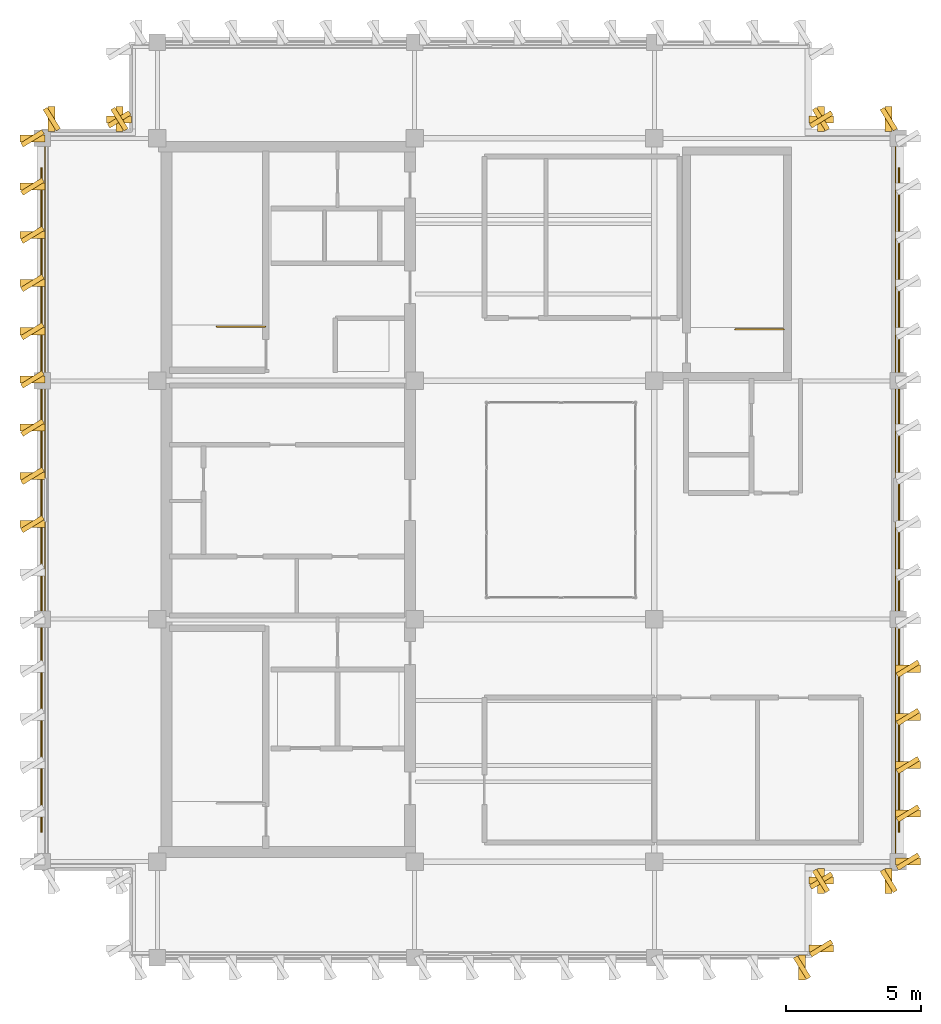
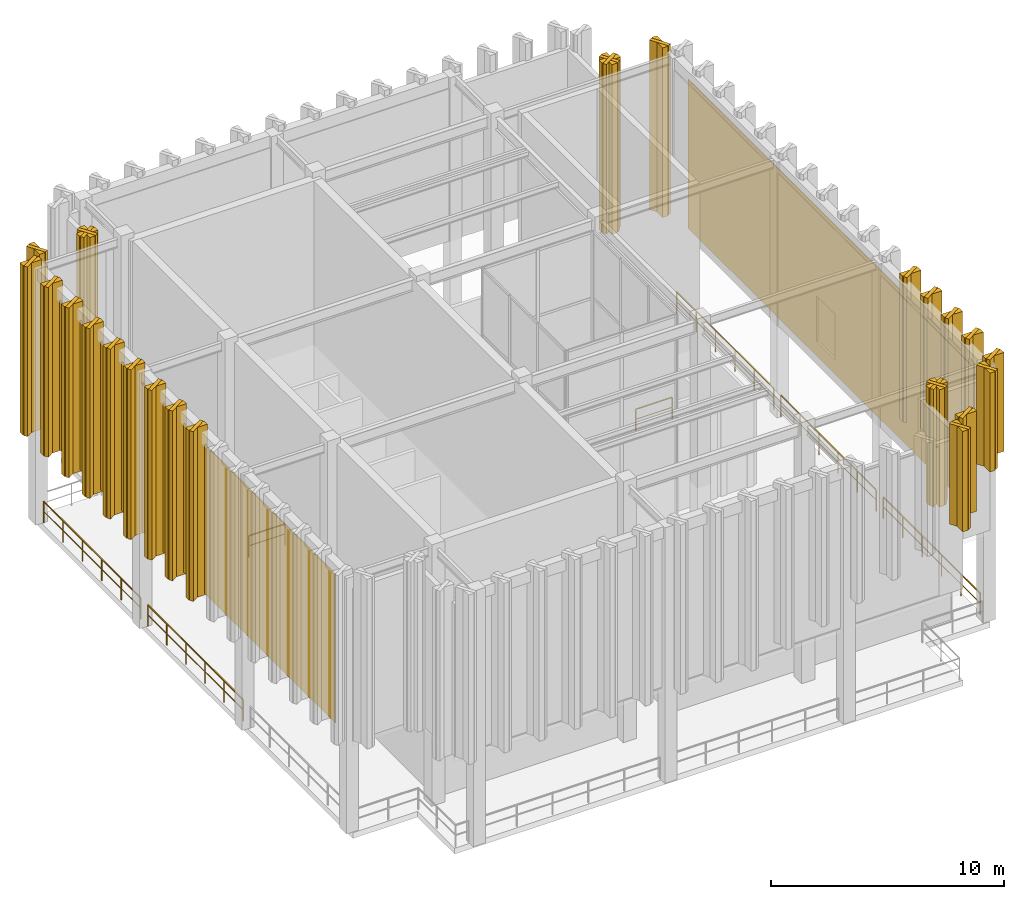
# One storey, part 14 of 15: 27 coverings, 25 shading devices, 7 railings.
"""IFC4 building model written with IfcOpenShell, lengths in metres."""

from ifc_helpers import new_model, si_unit, direction, frame, origin, origin_2d, place, context, subcontext, project, spatial, polyline, rectangle, outline, extrude, material, layer, layer_set, type_object, element, save


model = new_model("IFC4")

# Units and contexts
model_context = context("Model", 3, precision=1e-05, world=origin(), true_north=direction((0.0, 1.0)))
body_context = subcontext(model_context, "Body", "Model", "MODEL_VIEW")
ifc_project = project(units=[si_unit("LENGTHUNIT", "METRE"), si_unit("AREAUNIT", "SQUARE_METRE"), si_unit("VOLUMEUNIT", "CUBIC_METRE"), si_unit("PLANEANGLEUNIT", "RADIAN"), si_unit("MASSUNIT", "GRAM", prefix="KILO")], contexts=[model_context])

# Site, building, storey
site_placement = place(None, origin())
site = spatial("IfcSite", under=ifc_project, at=site_placement, CompositionType="ELEMENT")
building_placement = place(site_placement, origin())
building = spatial("IfcBuilding", under=site, at=building_placement, Name="Kundavana Baori Tower", CompositionType="ELEMENT")
storey_placement = place(building_placement, frame((0.0, 0.0, 354.699951171875)))
storey = spatial("IfcBuildingStorey", under=building, at=storey_placement, Name="L88", CompositionType="ELEMENT", Elevation=354.699951171875)

# Coverings
ifc_material_1 = material(Name="Red-Buff Dholpur Sandstone Cladding on Concrete C40/50", Category="masonry")
ifc_layer_1 = layer(ifc_material_1, 0.050048828125, Name="COV-EXT-CLAD")
ifc_layer_set_1 = layer_set([ifc_layer_1], Name="Red-Buff Dholpur Sandstone Cladding on Concrete C40/50")
covering_type_1 = type_object("IfcCoveringType", Name="COV-EXT-CLAD", PredefinedType="CLADDING", material=ifc_layer_set_1)
covering_1_placement = place(storey_placement, frame((0.0, 0.0, 4.900146484375)))
element("IfcCovering", 1, at=covering_1_placement, inside=storey, type_object=covering_type_1, Name="L88 Crown Carved Dholpur Stone Cladding 04", PredefinedType="CLADDING", context=body_context, shape_type="SweptSolid", body=[
    extrude(outline(polyline([(42.800048828125, 16.340087890625), (42.85009765625, 16.340087890625), (42.85009765625, 40.860107421875), (42.800048828125, 40.860107421875), (42.800048828125, 16.340087890625)])), origin(), (0.0, 0.0, 1.0), 7.7998046875),
])
covering_2_placement = place(storey_placement, frame((0.0, 0.0, 4.900146484375)))
element("IfcCovering", 2, at=covering_2_placement, inside=storey, type_object=covering_type_1, Name="L88 Crown Carved Dholpur Stone Cladding 10", PredefinedType="CLADDING", context=body_context, shape_type="SweptSolid", body=[
    extrude(outline(polyline([(11.14990234375, 16.340087890625), (11.199951171875, 16.340087890625), (11.199951171875, 40.860107421875), (11.14990234375, 40.860107421875), (11.14990234375, 16.340087890625)])), origin(), (0.0, 0.0, 1.0), 7.7998046875),
])
ifc_material_2 = material(Name="Cream-White Makrana Limestone on Concrete C40/50", Category="masonry")
ifc_layer_2 = layer(ifc_material_2, 0.239990234375, Name="COV-SAIL-FIN")
ifc_layer_set_2 = layer_set([ifc_layer_2], Name="Cream-White Makrana Limestone on Concrete C40/50")
covering_type_2 = type_object("IfcCoveringType", Name="COV-SAIL-FIN", PredefinedType="CLADDING", material=ifc_layer_set_2)
covering_3_placement = place(storey_placement, frame((0.0, 0.0, 8.430419921875)))
element("IfcCovering", 3, at=covering_3_placement, inside=storey, type_object=covering_type_2, Name="L88 Climbing Makrana White Limestone Sail Fin 015", PredefinedType="CLADDING", context=body_context, shape_type="SweptSolid", body=[
    extrude(outline(polyline([(39.1201171875, 10.8798828125), (39.3798828125, 10.8798828125), (39.3798828125, 11.800048828125), (39.1201171875, 11.800048828125), (39.1201171875, 10.8798828125)])), origin(), (0.0, 0.0, 1.0), 5.26953125),
])
covering_4_placement = place(storey_placement, frame((0.0, 0.0, 8.439453125)))
element("IfcCovering", 4, at=covering_4_placement, inside=storey, type_object=covering_type_2, Name="L88 Climbing Makrana White Limestone Sail Fin 016", PredefinedType="CLADDING", context=body_context, shape_type="SweptSolid", body=[
    extrude(outline(polyline([(39.5, 11.919921875), (40.419921875, 11.919921875), (40.419921875, 12.179931640625), (39.5, 12.179931640625), (39.5, 11.919921875)])), origin(), (0.0, 0.0, 1.0), 5.260498046875),
])
covering_5_placement = place(storey_placement, frame((0.0, 0.0, 7.541748046875)))
element("IfcCovering", 5, at=covering_5_placement, inside=storey, type_object=covering_type_2, Name="L88 Climbing Makrana White Limestone Sail Fin 017", PredefinedType="CLADDING", context=body_context, shape_type="SweptSolid", body=[
    extrude(outline(polyline([(39.5, 14.419921875), (40.419921875, 14.419921875), (40.419921875, 14.679931640625), (39.5, 14.679931640625), (39.5, 14.419921875)])), origin(), (0.0, 0.0, 1.0), 6.158203125),
])
covering_6_placement = place(storey_placement, frame((0.0, 0.0, 7.55029296875)))
element("IfcCovering", 6, at=covering_6_placement, inside=storey, type_object=covering_type_2, Name="L88 Climbing Makrana White Limestone Sail Fin 018", PredefinedType="CLADDING", context=body_context, shape_type="SweptSolid", body=[
    extrude(outline(polyline([(39.820068359375, 14.080078125), (40.080078125, 14.080078125), (40.080078125, 15.0), (39.820068359375, 15.0), (39.820068359375, 14.080078125)])), origin(), (0.0, 0.0, 1.0), 6.149658203125),
])
covering_7_placement = place(storey_placement, frame((0.0, 0.0, 8.513916015625)))
element("IfcCovering", 7, at=covering_7_placement, inside=storey, type_object=covering_type_2, Name="L88 Climbing Makrana White Limestone Sail Fin 019", PredefinedType="CLADDING", context=body_context, shape_type="SweptSolid", body=[
    extrude(outline(polyline([(42.320068359375, 14.080078125), (42.580078125, 14.080078125), (42.580078125, 15.0), (42.320068359375, 15.0), (42.320068359375, 14.080078125)])), origin(), (0.0, 0.0, 1.0), 5.18603515625),
])
covering_8_placement = place(storey_placement, frame((0.0, 0.0, 8.523193359375)))
element("IfcCovering", 8, at=covering_8_placement, inside=storey, type_object=covering_type_2, Name="L88 Climbing Makrana White Limestone Sail Fin 020", PredefinedType="CLADDING", context=body_context, shape_type="SweptSolid", body=[
    extrude(outline(polyline([(42.699951171875, 15.1201171875), (43.6201171875, 15.1201171875), (43.6201171875, 15.3798828125), (42.699951171875, 15.3798828125), (42.699951171875, 15.1201171875)])), origin(), (0.0, 0.0, 1.0), 5.1767578125),
])
covering_9_placement = place(storey_placement, frame((0.0, 0.0, 7.87255859375)))
element("IfcCovering", 9, at=covering_9_placement, inside=storey, type_object=covering_type_2, Name="L88 Climbing Makrana White Limestone Sail Fin 021", PredefinedType="CLADDING", context=body_context, shape_type="SweptSolid", body=[
    extrude(outline(polyline([(42.699951171875, 16.89990234375), (43.6201171875, 16.89990234375), (43.6201171875, 17.159912109375), (42.699951171875, 17.159912109375), (42.699951171875, 16.89990234375)])), origin(), (0.0, 0.0, 1.0), 5.827392578125),
])
covering_10_placement = place(storey_placement, frame((0.0, 0.0, 7.25439453125)))
element("IfcCovering", 10, at=covering_10_placement, inside=storey, type_object=covering_type_2, Name="L88 Climbing Makrana White Limestone Sail Fin 022", PredefinedType="CLADDING", context=body_context, shape_type="SweptSolid", body=[
    extrude(outline(polyline([(42.699951171875, 18.679931640625), (43.6201171875, 18.679931640625), (43.6201171875, 18.93994140625), (42.699951171875, 18.93994140625), (42.699951171875, 18.679931640625)])), origin(), (0.0, 0.0, 1.0), 6.445556640625),
])
covering_11_placement = place(storey_placement, frame((0.0, 0.0, 6.6591796875)))
element("IfcCovering", 11, at=covering_11_placement, inside=storey, type_object=covering_type_2, Name="L88 Climbing Makrana White Limestone Sail Fin 023", PredefinedType="CLADDING", context=body_context, shape_type="SweptSolid", body=[
    extrude(outline(polyline([(42.699951171875, 20.4599609375), (43.6201171875, 20.4599609375), (43.6201171875, 20.719970703125), (42.699951171875, 20.719970703125), (42.699951171875, 20.4599609375)])), origin(), (0.0, 0.0, 1.0), 7.040771484375),
])
covering_12_placement = place(storey_placement, frame((0.0, 0.0, 6.081787109375)))
element("IfcCovering", 12, at=covering_12_placement, inside=storey, type_object=covering_type_2, Name="L88 Climbing Makrana White Limestone Sail Fin 024", PredefinedType="CLADDING", context=body_context, shape_type="SweptSolid", body=[
    extrude(outline(polyline([(42.699951171875, 22.239990234375), (43.6201171875, 22.239990234375), (43.6201171875, 22.5), (42.699951171875, 22.5), (42.699951171875, 22.239990234375)])), origin(), (0.0, 0.0, 1.0), 7.6181640625),
])
covering_13_placement = place(storey_placement, frame((0.0, 0.0, 4.800048828125)))
element("IfcCovering", 13, at=covering_13_placement, inside=storey, type_object=covering_type_2, Name="L88 Climbing Makrana White Limestone Sail Fin 036", PredefinedType="CLADDING", context=body_context, shape_type="SweptSolid", body=[
    extrude(outline(polyline([(42.320068359375, 42.199951171875), (42.580078125, 42.199951171875), (42.580078125, 43.1201171875), (42.320068359375, 43.1201171875), (42.320068359375, 42.199951171875)])), origin(), (0.0, 0.0, 1.0), 8.89990234375),
])
covering_14_placement = place(storey_placement, frame((0.0, 0.0, 4.800048828125)))
element("IfcCovering", 14, at=covering_14_placement, inside=storey, type_object=covering_type_2, Name="L88 Climbing Makrana White Limestone Sail Fin 037", PredefinedType="CLADDING", context=body_context, shape_type="SweptSolid", body=[
    extrude(outline(polyline([(39.820068359375, 42.199951171875), (40.080078125, 42.199951171875), (40.080078125, 43.1201171875), (39.820068359375, 43.1201171875), (39.820068359375, 42.199951171875)])), origin(), (0.0, 0.0, 1.0), 8.89990234375),
])
covering_15_placement = place(storey_placement, frame((0.0, 0.0, 4.800048828125)))
element("IfcCovering", 15, at=covering_15_placement, inside=storey, type_object=covering_type_2, Name="L88 Climbing Makrana White Limestone Sail Fin 038", PredefinedType="CLADDING", context=body_context, shape_type="SweptSolid", body=[
    extrude(outline(polyline([(39.5, 42.52001953125), (40.419921875, 42.52001953125), (40.419921875, 42.780029296875), (39.5, 42.780029296875), (39.5, 42.52001953125)])), origin(), (0.0, 0.0, 1.0), 8.89990234375),
])
covering_16_placement = place(storey_placement, frame((0.0, 0.0, 4.800048828125)))
element("IfcCovering", 16, at=covering_16_placement, inside=storey, type_object=covering_type_2, Name="L88 Climbing Makrana White Limestone Sail Fin 056", PredefinedType="CLADDING", context=body_context, shape_type="SweptSolid", body=[
    extrude(outline(polyline([(13.580078125, 42.52001953125), (14.5, 42.52001953125), (14.5, 42.780029296875), (13.580078125, 42.780029296875), (13.580078125, 42.52001953125)])), origin(), (0.0, 0.0, 1.0), 8.89990234375),
])
covering_17_placement = place(storey_placement, frame((0.0, 0.0, 4.800048828125)))
element("IfcCovering", 17, at=covering_17_placement, inside=storey, type_object=covering_type_2, Name="L88 Climbing Makrana White Limestone Sail Fin 057", PredefinedType="CLADDING", context=body_context, shape_type="SweptSolid", body=[
    extrude(outline(polyline([(13.919921875, 42.199951171875), (14.179931640625, 42.199951171875), (14.179931640625, 43.1201171875), (13.919921875, 43.1201171875), (13.919921875, 42.199951171875)])), origin(), (0.0, 0.0, 1.0), 8.89990234375),
])
covering_18_placement = place(storey_placement, frame((0.0, 0.0, 4.800048828125)))
element("IfcCovering", 18, at=covering_18_placement, inside=storey, type_object=covering_type_2, Name="L88 Climbing Makrana White Limestone Sail Fin 058", PredefinedType="CLADDING", context=body_context, shape_type="SweptSolid", body=[
    extrude(outline(polyline([(11.419921875, 42.199951171875), (11.679931640625, 42.199951171875), (11.679931640625, 43.1201171875), (11.419921875, 43.1201171875), (11.419921875, 42.199951171875)])), origin(), (0.0, 0.0, 1.0), 8.89990234375),
])
covering_19_placement = place(storey_placement, frame((0.0, 0.0, 4.800048828125)))
element("IfcCovering", 19, at=covering_19_placement, inside=storey, type_object=covering_type_2, Name="L88 Climbing Makrana White Limestone Sail Fin 059", PredefinedType="CLADDING", context=body_context, shape_type="SweptSolid", body=[
    extrude(outline(polyline([(10.3798828125, 41.820068359375), (11.300048828125, 41.820068359375), (11.300048828125, 42.080078125), (10.3798828125, 42.080078125), (10.3798828125, 41.820068359375)])), origin(), (0.0, 0.0, 1.0), 8.89990234375),
])
covering_20_placement = place(storey_placement, frame((0.0, 0.0, 4.800048828125)))
element("IfcCovering", 20, at=covering_20_placement, inside=storey, type_object=covering_type_2, Name="L88 Climbing Makrana White Limestone Sail Fin 060", PredefinedType="CLADDING", context=body_context, shape_type="SweptSolid", body=[
    extrude(outline(polyline([(10.3798828125, 40.0400390625), (11.300048828125, 40.0400390625), (11.300048828125, 40.300048828125), (10.3798828125, 40.300048828125), (10.3798828125, 40.0400390625)])), origin(), (0.0, 0.0, 1.0), 8.89990234375),
])
covering_21_placement = place(storey_placement, frame((0.0, 0.0, 4.800048828125)))
element("IfcCovering", 21, at=covering_21_placement, inside=storey, type_object=covering_type_2, Name="L88 Climbing Makrana White Limestone Sail Fin 061", PredefinedType="CLADDING", context=body_context, shape_type="SweptSolid", body=[
    extrude(outline(polyline([(10.3798828125, 38.260009765625), (11.300048828125, 38.260009765625), (11.300048828125, 38.52001953125), (10.3798828125, 38.52001953125), (10.3798828125, 38.260009765625)])), origin(), (0.0, 0.0, 1.0), 8.89990234375),
])
covering_22_placement = place(storey_placement, frame((0.0, 0.0, 4.800048828125)))
element("IfcCovering", 22, at=covering_22_placement, inside=storey, type_object=covering_type_2, Name="L88 Climbing Makrana White Limestone Sail Fin 062", PredefinedType="CLADDING", context=body_context, shape_type="SweptSolid", body=[
    extrude(outline(polyline([(10.3798828125, 36.47998046875), (11.300048828125, 36.47998046875), (11.300048828125, 36.739990234375), (10.3798828125, 36.739990234375), (10.3798828125, 36.47998046875)])), origin(), (0.0, 0.0, 1.0), 8.89990234375),
])
covering_23_placement = place(storey_placement, frame((0.0, 0.0, 4.800048828125)))
element("IfcCovering", 23, at=covering_23_placement, inside=storey, type_object=covering_type_2, Name="L88 Climbing Makrana White Limestone Sail Fin 063", PredefinedType="CLADDING", context=body_context, shape_type="SweptSolid", body=[
    extrude(outline(polyline([(10.3798828125, 34.699951171875), (11.300048828125, 34.699951171875), (11.300048828125, 34.9599609375), (10.3798828125, 34.9599609375), (10.3798828125, 34.699951171875)])), origin(), (0.0, 0.0, 1.0), 8.89990234375),
])
covering_24_placement = place(storey_placement, frame((0.0, 0.0, 4.800048828125)))
element("IfcCovering", 24, at=covering_24_placement, inside=storey, type_object=covering_type_2, Name="L88 Climbing Makrana White Limestone Sail Fin 064", PredefinedType="CLADDING", context=body_context, shape_type="SweptSolid", body=[
    extrude(outline(polyline([(10.3798828125, 32.919921875), (11.300048828125, 32.919921875), (11.300048828125, 33.179931640625), (10.3798828125, 33.179931640625), (10.3798828125, 32.919921875)])), origin(), (0.0, 0.0, 1.0), 8.89990234375),
])
covering_25_placement = place(storey_placement, frame((0.0, 0.0, 4.800048828125)))
element("IfcCovering", 25, at=covering_25_placement, inside=storey, type_object=covering_type_2, Name="L88 Climbing Makrana White Limestone Sail Fin 065", PredefinedType="CLADDING", context=body_context, shape_type="SweptSolid", body=[
    extrude(outline(polyline([(10.3798828125, 31.139892578125), (11.300048828125, 31.139892578125), (11.300048828125, 31.39990234375), (10.3798828125, 31.39990234375), (10.3798828125, 31.139892578125)])), origin(), (0.0, 0.0, 1.0), 8.89990234375),
])
covering_26_placement = place(storey_placement, frame((0.0, 0.0, 4.800048828125)))
element("IfcCovering", 26, at=covering_26_placement, inside=storey, type_object=covering_type_2, Name="L88 Climbing Makrana White Limestone Sail Fin 066", PredefinedType="CLADDING", context=body_context, shape_type="SweptSolid", body=[
    extrude(outline(polyline([(10.3798828125, 29.360107421875), (11.300048828125, 29.360107421875), (11.300048828125, 29.6201171875), (10.3798828125, 29.6201171875), (10.3798828125, 29.360107421875)])), origin(), (0.0, 0.0, 1.0), 8.89990234375),
])
covering_27_placement = place(storey_placement, frame((0.0, 0.0, 4.800048828125)))
element("IfcCovering", 27, at=covering_27_placement, inside=storey, type_object=covering_type_2, Name="L88 Climbing Makrana White Limestone Sail Fin 067", PredefinedType="CLADDING", context=body_context, shape_type="SweptSolid", body=[
    extrude(outline(polyline([(10.3798828125, 27.580078125), (11.300048828125, 27.580078125), (11.300048828125, 27.840087890625), (10.3798828125, 27.840087890625), (10.3798828125, 27.580078125)])), origin(), (0.0, 0.0, 1.0), 8.89990234375),
])

# Railings
ifc_material_3 = material(Name="Architectural Patinated Bronze Metalwork")
railing_type_1 = type_object("IfcRailingType", Name="RL-BAL-1150", PredefinedType="BALUSTRADE", material=ifc_material_3)
railing_1_placement = place(storey_placement, frame((11.300048828125, 24.5048828125, 0.0)))
element("IfcRailing", 28, at=railing_1_placement, inside=storey, type_object=railing_type_1, Name="L88 Mechanical Floor Perimeter Guard Rail 03", PredefinedType="BALUSTRADE", context=body_context, shape_type="SweptSolid", body=[
    extrude(rectangle(XDim=0.048095703125, YDim=0.048095703125, at=origin_2d()), frame((0.0, 0.0, 1.1259765625), z_axis=(0.0, 1.0, 0.0), x_axis=(-1.0, 0.0, 0.0)), (0.0, 0.0, 1.0), 8.190185546875),
    extrude(rectangle(XDim=0.03125, YDim=0.03125, at=origin_2d()), frame((0.0, 0.0, 0.597900390625), z_axis=(0.0, 1.0, 0.0), x_axis=(-1.0, 0.0, 0.0)), (0.0, 0.0, 1.0), 8.190185546875),
    extrude(rectangle(XDim=0.0419921875, YDim=0.0419921875, at=origin_2d()), origin(), (0.0, 0.0, 1.0), 1.101806640625),
    extrude(rectangle(XDim=0.0419921875, YDim=0.0419921875, at=origin_2d()), frame((0.0, 1.637939453125, 0.0)), (0.0, 0.0, 1.0), 1.101806640625),
    extrude(rectangle(XDim=0.0419921875, YDim=0.0419921875, at=origin_2d()), frame((0.0, 3.276123046875, 0.0)), (0.0, 0.0, 1.0), 1.101806640625),
    extrude(rectangle(XDim=0.0419921875, YDim=0.0419921875, at=origin_2d()), frame((0.0, 4.9140625, 0.0)), (0.0, 0.0, 1.0), 1.101806640625),
    extrude(rectangle(XDim=0.0419921875, YDim=0.0419921875, at=origin_2d()), frame((0.0, 6.55224609375, 0.0)), (0.0, 0.0, 1.0), 1.101806640625),
    extrude(rectangle(XDim=0.0419921875, YDim=0.0419921875, at=origin_2d()), frame((0.0, 8.190185546875, 0.0)), (0.0, 0.0, 1.0), 1.101806640625),
])
railing_2_placement = place(storey_placement, frame((11.300048828125, 33.304931640625, 0.0)))
element("IfcRailing", 29, at=railing_2_placement, inside=storey, type_object=railing_type_1, Name="L88 Mechanical Floor Perimeter Guard Rail 04", PredefinedType="BALUSTRADE", context=body_context, shape_type="SweptSolid", body=[
    extrude(rectangle(XDim=0.048095703125, YDim=0.048095703125, at=origin_2d()), frame((0.0, 0.0, 1.1259765625), z_axis=(0.0, 1.0, 0.0), x_axis=(-1.0, 0.0, 0.0)), (0.0, 0.0, 1.0), 8.340087890625),
    extrude(rectangle(XDim=0.03125, YDim=0.03125, at=origin_2d()), frame((0.0, 0.0, 0.597900390625), z_axis=(0.0, 1.0, 0.0), x_axis=(-1.0, 0.0, 0.0)), (0.0, 0.0, 1.0), 8.340087890625),
    extrude(rectangle(XDim=0.0419921875, YDim=0.0419921875, at=origin_2d()), origin(), (0.0, 0.0, 1.0), 1.101806640625),
    extrude(rectangle(XDim=0.0419921875, YDim=0.0419921875, at=origin_2d()), frame((0.0, 1.66796875, 0.0)), (0.0, 0.0, 1.0), 1.101806640625),
    extrude(rectangle(XDim=0.0419921875, YDim=0.0419921875, at=origin_2d()), frame((0.0, 3.3359375, 0.0)), (0.0, 0.0, 1.0), 1.101806640625),
    extrude(rectangle(XDim=0.0419921875, YDim=0.0419921875, at=origin_2d()), frame((0.0, 5.004150390625, 0.0)), (0.0, 0.0, 1.0), 1.101806640625),
    extrude(rectangle(XDim=0.0419921875, YDim=0.0419921875, at=origin_2d()), frame((0.0, 6.672119140625, 0.0)), (0.0, 0.0, 1.0), 1.101806640625),
    extrude(rectangle(XDim=0.0419921875, YDim=0.0419921875, at=origin_2d()), frame((0.0, 8.340087890625, 0.0)), (0.0, 0.0, 1.0), 1.101806640625),
])
railing_3_placement = place(storey_placement, frame((42.699951171875, 41.64501953125, 0.0)))
element("IfcRailing", 30, at=railing_3_placement, inside=storey, type_object=railing_type_1, Name="L88 Mechanical Floor Perimeter Guard Rail 09", PredefinedType="BALUSTRADE", context=body_context, shape_type="SweptSolid", body=[
    extrude(rectangle(XDim=0.048095703125, YDim=0.048095703125, at=origin_2d()), frame((0.0, 0.0, 1.1259765625), z_axis=(0.0, -1.0, 0.0), x_axis=(1.0, 0.0, 0.0)), (0.0, 0.0, 1.0), 8.340087890625),
    extrude(rectangle(XDim=0.03125, YDim=0.03125, at=origin_2d()), frame((0.0, 0.0, 0.597900390625), z_axis=(0.0, -1.0, 0.0), x_axis=(1.0, 0.0, 0.0)), (0.0, 0.0, 1.0), 8.340087890625),
    extrude(rectangle(XDim=0.0419921875, YDim=0.0419921875, at=origin_2d()), origin(), (0.0, 0.0, 1.0), 1.101806640625),
    extrude(rectangle(XDim=0.0419921875, YDim=0.0419921875, at=origin_2d()), frame((0.0, -1.66796875, 0.0)), (0.0, 0.0, 1.0), 1.101806640625),
    extrude(rectangle(XDim=0.0419921875, YDim=0.0419921875, at=origin_2d()), frame((0.0, -3.3359375, 0.0)), (0.0, 0.0, 1.0), 1.101806640625),
    extrude(rectangle(XDim=0.0419921875, YDim=0.0419921875, at=origin_2d()), frame((0.0, -5.004150390625, 0.0)), (0.0, 0.0, 1.0), 1.101806640625),
    extrude(rectangle(XDim=0.0419921875, YDim=0.0419921875, at=origin_2d()), frame((0.0, -6.672119140625, 0.0)), (0.0, 0.0, 1.0), 1.101806640625),
    extrude(rectangle(XDim=0.0419921875, YDim=0.0419921875, at=origin_2d()), frame((0.0, -8.340087890625, 0.0)), (0.0, 0.0, 1.0), 1.101806640625),
])
railing_4_placement = place(storey_placement, frame((42.699951171875, 32.695068359375, 0.0)))
element("IfcRailing", 31, at=railing_4_placement, inside=storey, type_object=railing_type_1, Name="L88 Mechanical Floor Perimeter Guard Rail 10", PredefinedType="BALUSTRADE", context=body_context, shape_type="SweptSolid", body=[
    extrude(rectangle(XDim=0.048095703125, YDim=0.048095703125, at=origin_2d()), frame((0.0, 0.0, 1.1259765625), z_axis=(0.0, -1.0, 0.0), x_axis=(1.0, 0.0, 0.0)), (0.0, 0.0, 1.0), 8.190185546875),
    extrude(rectangle(XDim=0.03125, YDim=0.03125, at=origin_2d()), frame((0.0, 0.0, 0.597900390625), z_axis=(0.0, -1.0, 0.0), x_axis=(1.0, 0.0, 0.0)), (0.0, 0.0, 1.0), 8.190185546875),
    extrude(rectangle(XDim=0.0419921875, YDim=0.0419921875, at=origin_2d()), origin(), (0.0, 0.0, 1.0), 1.101806640625),
    extrude(rectangle(XDim=0.0419921875, YDim=0.0419921875, at=origin_2d()), frame((0.0, -1.637939453125, 0.0)), (0.0, 0.0, 1.0), 1.101806640625),
    extrude(rectangle(XDim=0.0419921875, YDim=0.0419921875, at=origin_2d()), frame((0.0, -3.276123046875, 0.0)), (0.0, 0.0, 1.0), 1.101806640625),
    extrude(rectangle(XDim=0.0419921875, YDim=0.0419921875, at=origin_2d()), frame((0.0, -4.9140625, 0.0)), (0.0, 0.0, 1.0), 1.101806640625),
    extrude(rectangle(XDim=0.0419921875, YDim=0.0419921875, at=origin_2d()), frame((0.0, -6.55224609375, 0.0)), (0.0, 0.0, 1.0), 1.101806640625),
    extrude(rectangle(XDim=0.0419921875, YDim=0.0419921875, at=origin_2d()), frame((0.0, -8.190185546875, 0.0)), (0.0, 0.0, 1.0), 1.101806640625),
])
railing_5_placement = place(storey_placement, frame((42.699951171875, 23.89501953125, 0.0)))
element("IfcRailing", 32, at=railing_5_placement, inside=storey, type_object=railing_type_1, Name="L88 Mechanical Floor Perimeter Guard Rail 11", PredefinedType="BALUSTRADE", context=body_context, shape_type="SweptSolid", body=[
    extrude(rectangle(XDim=0.048095703125, YDim=0.048095703125, at=origin_2d()), frame((0.0, 0.0, 1.1259765625), z_axis=(0.0, -1.0, 0.0), x_axis=(1.0, 0.0, 0.0)), (0.0, 0.0, 1.0), 8.340087890625),
    extrude(rectangle(XDim=0.03125, YDim=0.03125, at=origin_2d()), frame((0.0, 0.0, 0.597900390625), z_axis=(0.0, -1.0, 0.0), x_axis=(1.0, 0.0, 0.0)), (0.0, 0.0, 1.0), 8.340087890625),
    extrude(rectangle(XDim=0.0419921875, YDim=0.0419921875, at=origin_2d()), origin(), (0.0, 0.0, 1.0), 1.101806640625),
    extrude(rectangle(XDim=0.0419921875, YDim=0.0419921875, at=origin_2d()), frame((0.0, -1.66796875, 0.0)), (0.0, 0.0, 1.0), 1.101806640625),
    extrude(rectangle(XDim=0.0419921875, YDim=0.0419921875, at=origin_2d()), frame((0.0, -3.3359375, 0.0)), (0.0, 0.0, 1.0), 1.101806640625),
    extrude(rectangle(XDim=0.0419921875, YDim=0.0419921875, at=origin_2d()), frame((0.0, -5.004150390625, 0.0)), (0.0, 0.0, 1.0), 1.101806640625),
    extrude(rectangle(XDim=0.0419921875, YDim=0.0419921875, at=origin_2d()), frame((0.0, -6.672119140625, 0.0)), (0.0, 0.0, 1.0), 1.101806640625),
    extrude(rectangle(XDim=0.0419921875, YDim=0.0419921875, at=origin_2d()), frame((0.0, -8.340087890625, 0.0)), (0.0, 0.0, 1.0), 1.101806640625),
])
ifc_material_4 = material(Name="Architectural Patinated Bronze Metalwork")
railing_type_2 = type_object("IfcRailingType", Name="RL-GRD-1150", PredefinedType="GUARDRAIL", material=ifc_material_4)
for number, where, name in (
    (33, (19.43994140625, 35.0, 0.0), "L88 ST2 top well guard 1"),
    (34, (38.580078125, 34.89990234375, 0.0), "L88 ST3 top well guard 1"),
):
    element("IfcRailing", number, at=place(storey_placement, frame(where)), inside=storey, type_object=railing_type_2, Name=name, PredefinedType="GUARDRAIL", context=body_context, shape_type="SweptSolid", body=[
        extrude(rectangle(XDim=0.048095703125, YDim=0.048095703125, at=origin_2d()), frame((0.0, 0.0, 1.1259765625), z_axis=(-1.0, 0.0, 0.0), x_axis=(0.0, -1.0, 0.0)), (0.0, 0.0, 1.0), 1.81005859375),
        extrude(rectangle(XDim=0.03125, YDim=0.03125, at=origin_2d()), frame((0.0, 0.0, 0.597900390625), z_axis=(-1.0, 0.0, 0.0), x_axis=(0.0, -1.0, 0.0)), (0.0, 0.0, 1.0), 1.81005859375),
        extrude(rectangle(XDim=0.0419921875, YDim=0.0419921875, at=origin_2d()), origin(), (0.0, 0.0, 1.0), 1.101806640625),
        extrude(rectangle(XDim=0.0419921875, YDim=0.0419921875, at=origin_2d()), frame((-1.81005859375, 0.0, 0.0)), (0.0, 0.0, 1.0), 1.101806640625),
    ])

# Shading devices
ifc_material_5 = material(Name="Red-Buff Dholpur Sandstone Cladding on Concrete C40/50", Category="masonry")
shading_device_type = type_object("IfcShadingDeviceType", Name="SHD-FIN-920", PredefinedType="JALOUSIE", material=ifc_material_5)
shading_device_1_placement = place(storey_placement, frame((39.25, 11.340087890625, 8.43017578125), z_axis=(0.0, 0.0, 1.0), x_axis=(0.848048096156, 0.529919264233, 0.0)))
element("IfcShadingDevice", 35, at=shading_device_1_placement, inside=storey, type_object=shading_device_type, Name="L88 Sweeping Makrana Limestone Crown Sail Blade 015", PredefinedType="JALOUSIE", context=body_context, shape_type="SweptSolid", body=[
    extrude(rectangle(XDim=0.179931640625, YDim=0.919921875, at=origin_2d()), origin(), (0.0, 0.0, 1.0), 5.269775390625),
])
shading_device_2_placement = place(storey_placement, frame((39.9599609375, 12.050048828125, 8.439453125), z_axis=(0.0, 0.0, 1.0), x_axis=(-0.529919264233, 0.848048096156, 0.0)))
element("IfcShadingDevice", 36, at=shading_device_2_placement, inside=storey, type_object=shading_device_type, Name="L88 Sweeping Makrana Limestone Crown Sail Blade 016", PredefinedType="JALOUSIE", context=body_context, shape_type="SweptSolid", body=[
    extrude(rectangle(XDim=0.179931640625, YDim=0.919921875, at=origin_2d()), origin(), (0.0, 0.0, 1.0), 5.260498046875),
])
shading_device_3_placement = place(storey_placement, frame((39.9599609375, 14.550048828125, 7.541748046875), z_axis=(0.0, 0.0, 1.0), x_axis=(-0.529919264233, 0.848048096156, 0.0)))
element("IfcShadingDevice", 37, at=shading_device_3_placement, inside=storey, type_object=shading_device_type, Name="L88 Sweeping Makrana Limestone Crown Sail Blade 017", PredefinedType="JALOUSIE", context=body_context, shape_type="SweptSolid", body=[
    extrude(rectangle(XDim=0.179931640625, YDim=0.919921875, at=origin_2d()), origin(), (0.0, 0.0, 1.0), 6.158203125),
])
shading_device_4_placement = place(storey_placement, frame((39.949951171875, 14.5400390625, 7.55029296875), z_axis=(0.0, 0.0, 1.0), x_axis=(0.848048096156, 0.529919264233, 0.0)))
element("IfcShadingDevice", 38, at=shading_device_4_placement, inside=storey, type_object=shading_device_type, Name="L88 Sweeping Makrana Limestone Crown Sail Blade 018", PredefinedType="JALOUSIE", context=body_context, shape_type="SweptSolid", body=[
    extrude(rectangle(XDim=0.179931640625, YDim=0.919921875, at=origin_2d()), origin(), (0.0, 0.0, 1.0), 6.14990234375),
])
shading_device_5_placement = place(storey_placement, frame((42.449951171875, 14.5400390625, 8.513916015625), z_axis=(0.0, 0.0, 1.0), x_axis=(0.848048096156, 0.529919264233, 0.0)))
element("IfcShadingDevice", 39, at=shading_device_5_placement, inside=storey, type_object=shading_device_type, Name="L88 Sweeping Makrana Limestone Crown Sail Blade 019", PredefinedType="JALOUSIE", context=body_context, shape_type="SweptSolid", body=[
    extrude(rectangle(XDim=0.179931640625, YDim=0.919921875, at=origin_2d()), origin(), (0.0, 0.0, 1.0), 5.18603515625),
])
shading_device_6_placement = place(storey_placement, frame((43.159912109375, 15.25, 8.52294921875), z_axis=(0.0, 0.0, 1.0), x_axis=(-0.529919264233, 0.848048096156, 0.0)))
element("IfcShadingDevice", 40, at=shading_device_6_placement, inside=storey, type_object=shading_device_type, Name="L88 Sweeping Makrana Limestone Crown Sail Blade 020", PredefinedType="JALOUSIE", context=body_context, shape_type="SweptSolid", body=[
    extrude(rectangle(XDim=0.179931640625, YDim=0.919921875, at=origin_2d()), origin(), (0.0, 0.0, 1.0), 5.177001953125),
])
shading_device_7_placement = place(storey_placement, frame((43.159912109375, 17.030029296875, 7.87255859375), z_axis=(0.0, 0.0, 1.0), x_axis=(-0.529919264233, 0.848048096156, 0.0)))
element("IfcShadingDevice", 41, at=shading_device_7_placement, inside=storey, type_object=shading_device_type, Name="L88 Sweeping Makrana Limestone Crown Sail Blade 021", PredefinedType="JALOUSIE", context=body_context, shape_type="SweptSolid", body=[
    extrude(rectangle(XDim=0.179931640625, YDim=0.919921875, at=origin_2d()), origin(), (0.0, 0.0, 1.0), 5.827392578125),
])
shading_device_8_placement = place(storey_placement, frame((43.159912109375, 18.81005859375, 7.254150390625), z_axis=(0.0, 0.0, 1.0), x_axis=(-0.529919264233, 0.848048096156, 0.0)))
element("IfcShadingDevice", 42, at=shading_device_8_placement, inside=storey, type_object=shading_device_type, Name="L88 Sweeping Makrana Limestone Crown Sail Blade 022", PredefinedType="JALOUSIE", context=body_context, shape_type="SweptSolid", body=[
    extrude(rectangle(XDim=0.179931640625, YDim=0.919921875, at=origin_2d()), origin(), (0.0, 0.0, 1.0), 6.44580078125),
])
shading_device_9_placement = place(storey_placement, frame((43.159912109375, 20.590087890625, 6.658935546875), z_axis=(0.0, 0.0, 1.0), x_axis=(-0.529919264233, 0.848048096156, 0.0)))
element("IfcShadingDevice", 43, at=shading_device_9_placement, inside=storey, type_object=shading_device_type, Name="L88 Sweeping Makrana Limestone Crown Sail Blade 023", PredefinedType="JALOUSIE", context=body_context, shape_type="SweptSolid", body=[
    extrude(rectangle(XDim=0.179931640625, YDim=0.919921875, at=origin_2d()), origin(), (0.0, 0.0, 1.0), 7.041015625),
])
shading_device_10_placement = place(storey_placement, frame((43.159912109375, 22.3701171875, 6.08154296875), z_axis=(0.0, 0.0, 1.0), x_axis=(-0.529919264233, 0.848048096156, 0.0)))
element("IfcShadingDevice", 44, at=shading_device_10_placement, inside=storey, type_object=shading_device_type, Name="L88 Sweeping Makrana Limestone Crown Sail Blade 024", PredefinedType="JALOUSIE", context=body_context, shape_type="SweptSolid", body=[
    extrude(rectangle(XDim=0.179931640625, YDim=0.919921875, at=origin_2d()), origin(), (0.0, 0.0, 1.0), 7.618408203125),
])
for number, where, z_axis, x_axis, name in (
    (45, (42.449951171875, 42.659912109375, 4.800048828125), (0.0, 0.0, 1.0), (0.848048096156, 0.529919264233, 0.0), "L88 Sweeping Makrana Limestone Crown Sail Blade 036"),
    (46, (39.949951171875, 42.659912109375, 4.800048828125), (0.0, 0.0, 1.0), (0.848048096156, 0.529919264233, 0.0), "L88 Sweeping Makrana Limestone Crown Sail Blade 037"),
    (47, (39.9599609375, 42.64990234375, 4.800048828125), (0.0, 0.0, 1.0), (-0.529919264233, 0.848048096156, 0.0), "L88 Sweeping Makrana Limestone Crown Sail Blade 038"),
    (48, (14.0400390625, 42.64990234375, 4.800048828125), (0.0, 0.0, 1.0), (-0.529919264233, 0.848048096156, 0.0), "L88 Sweeping Makrana Limestone Crown Sail Blade 056"),
    (49, (14.050048828125, 42.659912109375, 4.800048828125), (0.0, 0.0, 1.0), (0.848048096156, 0.529919264233, 0.0), "L88 Sweeping Makrana Limestone Crown Sail Blade 057"),
    (50, (11.550048828125, 42.659912109375, 4.800048828125), (0.0, 0.0, 1.0), (0.848048096156, 0.529919264233, 0.0), "L88 Sweeping Makrana Limestone Crown Sail Blade 058"),
    (51, (10.840087890625, 41.949951171875, 4.800048828125), (0.0, 0.0, 1.0), (-0.529919264233, 0.848048096156, 0.0), "L88 Sweeping Makrana Limestone Crown Sail Blade 059"),
    (52, (10.840087890625, 40.169921875, 4.800048828125), (0.0, 0.0, 1.0), (-0.529919264233, 0.848048096156, 0.0), "L88 Sweeping Makrana Limestone Crown Sail Blade 060"),
    (53, (10.840087890625, 38.389892578125, 4.800048828125), (0.0, 0.0, 1.0), (-0.529919264233, 0.848048096156, 0.0), "L88 Sweeping Makrana Limestone Crown Sail Blade 061"),
    (54, (10.840087890625, 36.610107421875, 4.800048828125), (0.0, 0.0, 1.0), (-0.529919264233, 0.848048096156, 0.0), "L88 Sweeping Makrana Limestone Crown Sail Blade 062"),
    (55, (10.840087890625, 34.830078125, 4.800048828125), (0.0, 0.0, 1.0), (-0.529919264233, 0.848048096156, 0.0), "L88 Sweeping Makrana Limestone Crown Sail Blade 063"),
    (56, (10.840087890625, 33.050048828125, 4.800048828125), (0.0, 0.0, 1.0), (-0.529919264233, 0.848048096156, 0.0), "L88 Sweeping Makrana Limestone Crown Sail Blade 064"),
    (57, (10.840087890625, 31.27001953125, 4.800048828125), (0.0, 0.0, 1.0), (-0.529919264233, 0.848048096156, 0.0), "L88 Sweeping Makrana Limestone Crown Sail Blade 065"),
    (58, (10.840087890625, 29.489990234375, 4.800048828125), (0.0, 0.0, 1.0), (-0.529919264233, 0.848048096156, 0.0), "L88 Sweeping Makrana Limestone Crown Sail Blade 066"),
    (59, (10.840087890625, 27.7099609375, 4.800048828125), (0.0, 0.0, 1.0), (-0.529919264233, 0.848048096156, 0.0), "L88 Sweeping Makrana Limestone Crown Sail Blade 067"),
):
    element("IfcShadingDevice", number, at=place(storey_placement, frame(where, z_axis=z_axis, x_axis=x_axis)), inside=storey, type_object=shading_device_type, Name=name, PredefinedType="JALOUSIE", context=body_context, shape_type="SweptSolid", body=[
        extrude(rectangle(XDim=0.179931640625, YDim=0.919921875, at=origin_2d()), origin(), (0.0, 0.0, 1.0), 8.89990234375),
    ])

save(model, "model.ifc")
